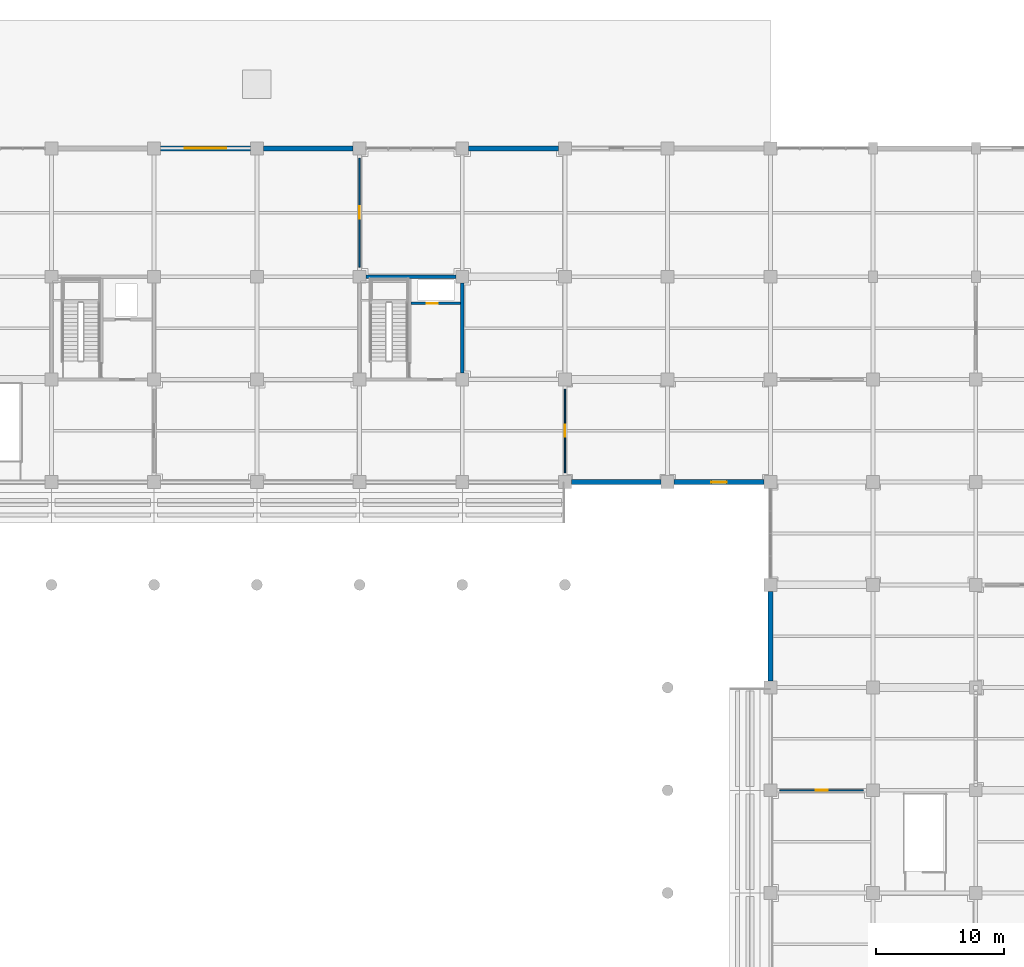
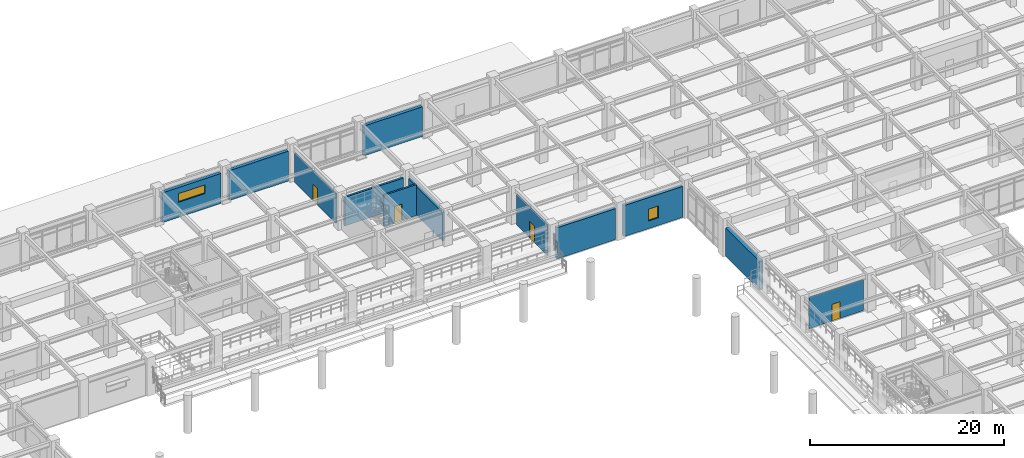
# One storey, part 83 of 117: 12 walls, 4 doors, 2 windows, 6 openings.
"""IFC4 building model written with IfcOpenShell, lengths in metres."""

from ifc_helpers import new_model, si_unit, direction, frame, frame_2d, origin, place, context, subcontext, project, spatial, rectangle, extrude, material, layer, layer_set, type_object, element, fill, save


model = new_model("IFC4")

# Units and contexts
model_context = context("Model", 3, precision=1e-05, world=origin(), true_north=direction((0.0, 1.0)))
body_context = subcontext(model_context, "Body", "Model", "MODEL_VIEW")
ifc_project = project(units=[si_unit("LENGTHUNIT", "METRE"), si_unit("AREAUNIT", "SQUARE_METRE"), si_unit("VOLUMEUNIT", "CUBIC_METRE"), si_unit("PLANEANGLEUNIT", "RADIAN"), si_unit("MASSUNIT", "GRAM", prefix="KILO")], contexts=[model_context])

# Site, building, storey
site_placement = place(None, origin())
site = spatial("IfcSite", under=ifc_project, at=site_placement, CompositionType="ELEMENT")
building_placement = place(site_placement, origin())
building = spatial("IfcBuilding", under=site, at=building_placement, Name="Haebicheon Civic Stadium", CompositionType="ELEMENT")
storey_placement = place(building_placement, frame((0.0, 0.0, 4.800048828125)))
storey = spatial("IfcBuildingStorey", under=building, at=storey_placement, Name="L02", CompositionType="ELEMENT", Elevation=4.800048828125)

# Walls
ifc_material_1 = material(Name="Concrete C40/50", Category="concrete")
ifc_layer_1 = layer(ifc_material_1, 0.239990234375, Name="Concrete C40/50")
ifc_layer_set_1 = layer_set([ifc_layer_1], Name="Concrete C40/50")
wall_type_1 = type_object("IfcWallType", Name="CW-SHR-240", PredefinedType="SHEAR", material=ifc_layer_set_1)
for number, where, z_axis, x_axis, name in (
    (1, (112.5, 168.0, 0.0), (0.0, 0.0, 1.0), (1.0, 0.0, 0.0), "KC-09 L02 north core shear wall"),
    (2, (120.0, 160.5, 0.0), (0.0, 0.0, 1.0), (0.0, 1.0, 0.0), "KC-09 L02 east core shear wall"),
):
    element("IfcWall", number, at=place(storey_placement, frame(where, z_axis=z_axis, x_axis=x_axis)), inside=storey, type_object=wall_type_1, material=ifc_layer_set_1, Name=name, PredefinedType="SHEAR", context=body_context, shape_type="SweptSolid", body=[
        extrude(rectangle(XDim=7.0, YDim=0.239990234375, at=frame_2d((3.5, 0.0))), origin(), (0.0, 0.0, 1.0), 3.60986328125),
    ])

# Wall, opening, window
ifc_material_2 = material(Name="Concrete C40/50", Category="concrete")
ifc_layer_2 = layer(ifc_material_2, 0.3798828125, Name="Concrete C40/50")
ifc_layer_set_2 = layer_set([ifc_layer_2], Name="Concrete C40/50")
wall_type_2 = type_object("IfcWallType", Name="EW-BM-380", PredefinedType="SOLIDWALL", material=ifc_layer_set_2)
wall_1_placement = place(storey_placement, frame((96.5, 178.0, 0.0), z_axis=(0.0, 0.0, 1.0), x_axis=(1.0, 0.0, 0.0)))
wall_1 = element("IfcWall", 3, at=wall_1_placement, inside=storey, type_object=wall_type_2, material=ifc_layer_set_2, Name="L02 board-marked concrete facade wall 12-22-N", PredefinedType="SOLIDWALL", context=body_context, shape_type="SweptSolid", body=[
    extrude(rectangle(XDim=7.0, YDim=0.3798828125, at=frame_2d((3.5, 0.0))), origin(), (0.0, 0.0, 1.0), 3.77001953125),
])
opening_1_placement = place(wall_1_placement, frame((1.89990234375, 0.0, 1.89990234375)))
opening_1 = element("IfcOpeningElement", 4, at=opening_1_placement, cuts=wall_1, Name="Opening WIN-320x110", PredefinedType="OPENING", context=body_context, shape_type="SweptSolid", body=[
    extrude(rectangle(XDim=3.199951171875, YDim=1.10009765625, at=frame_2d((1.60009765625, 0.550048828125))), frame((0.0, 0.199951171875, 0.0), z_axis=(0.0, -1.0, 0.0), x_axis=(1.0, 0.0, 0.0)), (0.0, 0.0, 1.0), 0.39990234375),
])
ifc_material_3 = material(Name="Anodised aluminium and laminated glass", Category="aluminium")
window_type_1 = type_object("IfcWindowType", Name="WIN-320x110", PartitioningType="SINGLE_PANEL", PredefinedType="LIGHTDOME", material=ifc_material_3)
window_1_placement = place(opening_1_placement, origin())
window_1 = element("IfcWindow", 5, at=window_1_placement, inside=storey, type_object=window_type_1, material=ifc_material_3, Name="L02 facade window 044", OverallHeight=1.10009765625, OverallWidth=3.199951171875, PartitioningType="SINGLE_PANEL", PredefinedType="LIGHTDOME", context=body_context, shape_type="SweptSolid", body=[
    extrude(rectangle(XDim=3.199951171875, YDim=1.10009765625, at=frame_2d((1.60009765625, 0.550048828125))), frame((0.0, 0.030029296875, 0.0), z_axis=(0.0, -1.0, 0.0), x_axis=(1.0, 0.0, 0.0)), (0.0, 0.0, 1.0), 0.06005859375),
])
fill(opening_1, window_1)

# Walls
for number, where, z_axis, x_axis, name in (
    (6, (104.5, 178.0, 0.0), (0.0, 0.0, 1.0), (1.0, 0.0, 0.0), "L02 board-marked concrete facade wall 13-22-N"),
    (7, (120.5, 178.0, 0.0), (0.0, 0.0, 1.0), (1.0, 0.0, 0.0), "L02 board-marked concrete facade wall 15-22-N"),
):
    element("IfcWall", number, at=place(storey_placement, frame(where, z_axis=z_axis, x_axis=x_axis)), inside=storey, type_object=wall_type_2, material=ifc_layer_set_2, Name=name, PredefinedType="SOLIDWALL", context=body_context, shape_type="SweptSolid", body=[
        extrude(rectangle(XDim=7.0, YDim=0.3798828125, at=frame_2d((3.5, 0.0))), origin(), (0.0, 0.0, 1.0), 3.77001953125),
    ])
wall_2_placement = place(storey_placement, frame((128.5, 152.0, 0.0), z_axis=(0.0, 0.0, 1.0), x_axis=(1.0, 0.0, 0.0)))
element("IfcWall", 8, at=wall_2_placement, inside=storey, type_object=wall_type_2, material=ifc_layer_set_2, Name="L02 board-marked concrete facade wall 16-19-S", PredefinedType="SOLIDWALL", context=body_context, shape_type="SweptSolid", body=[
    extrude(rectangle(XDim=7.0, YDim=0.3798828125, at=frame_2d((3.5, 0.0))), origin(), (0.0, 0.0, 1.0), 3.909912109375),
])

# Wall, opening, window
wall_3_placement = place(storey_placement, frame((136.5, 152.0, 0.0), z_axis=(0.0, 0.0, 1.0), x_axis=(1.0, 0.0, 0.0)))
wall_3 = element("IfcWall", 9, at=wall_3_placement, inside=storey, type_object=wall_type_2, material=ifc_layer_set_2, Name="L02 board-marked concrete facade wall 17-19-S", PredefinedType="SOLIDWALL", context=body_context, shape_type="SweptSolid", body=[
    extrude(rectangle(XDim=7.0, YDim=0.3798828125, at=frame_2d((3.5, 0.0))), origin(), (0.0, 0.0, 1.0), 3.909912109375),
])
opening_2_placement = place(wall_3_placement, frame((2.89990234375, 0.0, 0.949951171875)))
opening_2 = element("IfcOpeningElement", 10, at=opening_2_placement, cuts=wall_3, Name="Opening WIN-120x150", PredefinedType="OPENING", context=body_context, shape_type="SweptSolid", body=[
    extrude(rectangle(XDim=1.199951171875, YDim=1.5, at=frame_2d((0.60009765625, 0.75))), frame((0.0, 0.199951171875, 0.0), z_axis=(0.0, -1.0, 0.0), x_axis=(1.0, 0.0, 0.0)), (0.0, 0.0, 1.0), 0.39990234375),
])
ifc_material_4 = material(Name="Anodised aluminium and laminated glass", Category="aluminium")
window_type_2 = type_object("IfcWindowType", Name="WIN-120x150", PartitioningType="SINGLE_PANEL", PredefinedType="WINDOW", material=ifc_material_4)
window_2_placement = place(opening_2_placement, origin())
window_2 = element("IfcWindow", 11, at=window_2_placement, inside=storey, type_object=window_type_2, material=ifc_material_4, Name="L02 facade window 047", OverallHeight=1.5, OverallWidth=1.199951171875, PartitioningType="SINGLE_PANEL", PredefinedType="WINDOW", context=body_context, shape_type="SweptSolid", body=[
    extrude(rectangle(XDim=1.199951171875, YDim=1.5, at=frame_2d((0.60009765625, 0.75))), frame((0.0, 0.030029296875, 0.0), z_axis=(0.0, -1.0, 0.0), x_axis=(1.0, 0.0, 0.0)), (0.0, 0.0, 1.0), 0.06005859375),
])
fill(opening_2, window_2)

# Wall
wall_4_placement = place(storey_placement, frame((144.0, 136.5, 0.0), z_axis=(0.0, 0.0, 1.0), x_axis=(0.0, 1.0, 0.0)))
element("IfcWall", 12, at=wall_4_placement, inside=storey, type_object=wall_type_2, material=ifc_layer_set_2, Name="L02 board-marked concrete facade wall 18-17-W", PredefinedType="SOLIDWALL", context=body_context, shape_type="SweptSolid", body=[
    extrude(rectangle(XDim=7.0, YDim=0.3798828125, at=frame_2d((3.5, 0.0))), origin(), (0.0, 0.0, 1.0), 3.60986328125),
])

# Wall, opening, door
ifc_material_5 = material(Name="Concrete C35/45", Category="concrete")
ifc_layer_3 = layer(ifc_material_5, 0.199951171875, Name="Concrete C35/45")
ifc_layer_set_3 = layer_set([ifc_layer_3], Name="Concrete C35/45")
wall_type_3 = type_object("IfcWallType", Name="IW-FIR-200", PredefinedType="PARTITIONING", material=ifc_layer_set_3)
wall_5_placement = place(storey_placement, frame((116.0, 165.919921875, 0.0), z_axis=(0.0, 0.0, 1.0), x_axis=(1.0, 0.0, 0.0)))
wall_5 = element("IfcWall", 13, at=wall_5_placement, inside=storey, type_object=wall_type_3, material=ifc_layer_set_3, Name="KC-09 L02 service riser wall", PredefinedType="PARTITIONING", context=body_context, shape_type="SweptSolid", body=[
    extrude(rectangle(XDim=3.8798828125, YDim=0.199951171875, at=frame_2d((1.93994140625, 0.0))), origin(), (0.0, 0.0, 1.0), 3.909912109375),
])
opening_3_placement = place(wall_5_placement, frame((1.25, 0.0, 0.0)))
opening_3 = element("IfcOpeningElement", 14, at=opening_3_placement, cuts=wall_5, Name="Opening D-L02-KC-09-RSR", PredefinedType="OPENING", context=body_context, shape_type="SweptSolid", body=[
    extrude(rectangle(XDim=0.85009765625, YDim=2.050048828125, at=frame_2d((0.425048828125, 1.02490234375))), frame((0.0, 0.10986328125, 0.0), z_axis=(0.0, -1.0, 0.0), x_axis=(1.0, 0.0, 0.0)), (0.0, 0.0, 1.0), 0.219970703125),
])
ifc_material_6 = material(Name="Galvanised painted steel SM355", Category="steel")
door_type_1 = type_object("IfcDoorType", Name="ID-RSR-0850", OperationType="NOTDEFINED", PredefinedType="TRAPDOOR", material=ifc_material_6)
door_1_placement = place(opening_3_placement, origin())
door_1 = element("IfcDoor", 15, at=door_1_placement, inside=storey, type_object=door_type_1, material=ifc_material_6, Name="L02 KC-09 riser access door", OperationType="SINGLE_SWING_RIGHT", OverallHeight=2.050048828125, OverallWidth=0.85009765625, PredefinedType="TRAPDOOR", context=body_context, shape_type="SweptSolid", body=[
    extrude(rectangle(XDim=0.85009765625, YDim=2.050048828125, at=frame_2d((0.425048828125, 1.02490234375))), frame((0.0, 0.02490234375, 0.0), z_axis=(0.0, -1.0, 0.0), x_axis=(1.0, 0.0, 0.0)), (0.0, 0.0, 1.0), 0.050048828125),
])
fill(opening_3, door_1)

ifc_material_7 = material(Name="Anodised aluminium and laminated glass", Category="aluminium")
ifc_layer_4 = layer(ifc_material_7, 0.10009765625, Name="Anodised aluminium and laminated glass")
ifc_layer_set_4 = layer_set([ifc_layer_4], Name="Anodised aluminium and laminated glass")
wall_type_4 = type_object("IfcWallType", Name="IW-PRT-100", PredefinedType="PARTITIONING", material=ifc_layer_set_4)
wall_6_placement = place(storey_placement, frame((128.0, 152.75, 0.0), z_axis=(0.0, 0.0, 1.0), x_axis=(0.0, 1.0, 0.0)))
wall_6 = element("IfcWall", 16, at=wall_6_placement, inside=storey, type_object=wall_type_4, material=ifc_layer_set_4, Name="L02 Food and Beverage Kiosk partition wall", PredefinedType="PARTITIONING", context=body_context, shape_type="SweptSolid", body=[
    extrude(rectangle(XDim=6.5, YDim=0.10009765625, at=frame_2d((3.25, 0.0))), origin(), (0.0, 0.0, 1.0), 3.909912109375),
])
opening_4_placement = place(wall_6_placement, frame((2.77490234375, 0.0, 0.0)))
opening_4 = element("IfcOpeningElement", 17, at=opening_4_placement, cuts=wall_6, Name="Opening D-L02-215", PredefinedType="OPENING", context=body_context, shape_type="SweptSolid", body=[
    extrude(rectangle(XDim=0.949951171875, YDim=2.10009765625, at=frame_2d((0.47509765625, 1.050048828125))), frame((0.0, 0.06005859375, 0.0), z_axis=(0.0, -1.0, 0.0), x_axis=(1.0, 0.0, 0.0)), (0.0, 0.0, 1.0), 0.1201171875),
])
ifc_material_8 = material(Name="Engineered hardwood timber", Category="wood")
door_type_2 = type_object("IfcDoorType", Name="ID-RM-0950", OperationType="NOTDEFINED", PredefinedType="DOOR", material=ifc_material_8)
door_2_placement = place(opening_4_placement, origin())
door_2 = element("IfcDoor", 18, at=door_2_placement, inside=storey, type_object=door_type_2, material=ifc_material_8, Name="L02 Food and Beverage Kiosk entrance door D-L02-215", OperationType="SINGLE_SWING_LEFT", OverallHeight=2.10009765625, OverallWidth=0.949951171875, PredefinedType="DOOR", context=body_context, shape_type="SweptSolid", body=[
    extrude(rectangle(XDim=0.949951171875, YDim=2.10009765625, at=frame_2d((0.47509765625, 1.050048828125))), frame((0.0, 0.02490234375, 0.0), z_axis=(0.0, -1.0, 0.0), x_axis=(1.0, 0.0, 0.0)), (0.0, 0.0, 1.0), 0.050048828125),
])
fill(opening_4, door_2)

wall_7_placement = place(storey_placement, frame((144.75, 128.0, 0.0), z_axis=(0.0, 0.0, 1.0), x_axis=(1.0, 0.0, 0.0)))
wall_7 = element("IfcWall", 19, at=wall_7_placement, inside=storey, type_object=wall_type_4, material=ifc_layer_set_4, Name="L02 Food and Beverage Kiosk partition wall", PredefinedType="PARTITIONING", context=body_context, shape_type="SweptSolid", body=[
    extrude(rectangle(XDim=6.5, YDim=0.10009765625, at=frame_2d((3.25, 0.0))), origin(), (0.0, 0.0, 1.0), 3.909912109375),
])
opening_5_placement = place(wall_7_placement, frame((2.77490234375, 0.0, 0.0)))
opening_5 = element("IfcOpeningElement", 20, at=opening_5_placement, cuts=wall_7, Name="Opening D-L02-219", PredefinedType="OPENING", context=body_context, shape_type="SweptSolid", body=[
    extrude(rectangle(XDim=0.949951171875, YDim=2.10009765625, at=frame_2d((0.47509765625, 1.050048828125))), frame((0.0, 0.06005859375, 0.0), z_axis=(0.0, -1.0, 0.0), x_axis=(1.0, 0.0, 0.0)), (0.0, 0.0, 1.0), 0.1201171875),
])
door_3_placement = place(opening_5_placement, origin())
door_3 = element("IfcDoor", 21, at=door_3_placement, inside=storey, type_object=door_type_2, material=ifc_material_8, Name="L02 Food and Beverage Kiosk entrance door D-L02-219", OperationType="SINGLE_SWING_LEFT", OverallHeight=2.10009765625, OverallWidth=0.949951171875, PredefinedType="DOOR", context=body_context, shape_type="SweptSolid", body=[
    extrude(rectangle(XDim=0.949951171875, YDim=2.10009765625, at=frame_2d((0.47509765625, 1.050048828125))), frame((0.0, 0.02490234375, 0.0), z_axis=(0.0, -1.0, 0.0), x_axis=(1.0, 0.0, 0.0)), (0.0, 0.0, 1.0), 0.050048828125),
])
fill(opening_5, door_3)

ifc_material_9 = material(Name="Gypsum plasterboard on steel studs", Category="gypsum")
ifc_layer_5 = layer(ifc_material_9, 0.1201171875, Name="Gypsum plasterboard on steel studs")
ifc_layer_set_5 = layer_set([ifc_layer_5], Name="Gypsum plasterboard on steel studs")
wall_type_5 = type_object("IfcWallType", Name="IW-PRT-120", PredefinedType="PARTITIONING", material=ifc_layer_set_5)
wall_8_placement = place(storey_placement, frame((112.0, 168.75, 0.0), z_axis=(0.0, 0.0, 1.0), x_axis=(0.0, 1.0, 0.0)))
wall_8 = element("IfcWall", 22, at=wall_8_placement, inside=storey, type_object=wall_type_5, material=ifc_layer_set_5, Name="L02 Merchandise Kiosk partition wall", PredefinedType="PARTITIONING", context=body_context, shape_type="SweptSolid", body=[
    extrude(rectangle(XDim=8.5, YDim=0.1201171875, at=frame_2d((4.25, 0.0))), origin(), (0.0, 0.0, 1.0), 3.77001953125),
])
opening_6_placement = place(wall_8_placement, frame((3.75, 0.0, 0.0)))
opening_6 = element("IfcOpeningElement", 23, at=opening_6_placement, cuts=wall_8, Name="Opening D-L02-214", PredefinedType="OPENING", context=body_context, shape_type="SweptSolid", body=[
    extrude(rectangle(XDim=1.0, YDim=2.10009765625, at=frame_2d((0.5, 1.050048828125))), frame((0.0, 0.070068359375, 0.0), z_axis=(0.0, -1.0, 0.0), x_axis=(1.0, 0.0, 0.0)), (0.0, 0.0, 1.0), 0.14013671875),
])
ifc_material_10 = material(Name="Engineered hardwood timber", Category="wood")
door_type_3 = type_object("IfcDoorType", Name="ID-RM-1000", OperationType="NOTDEFINED", PredefinedType="DOOR", material=ifc_material_10)
door_4_placement = place(opening_6_placement, origin())
door_4 = element("IfcDoor", 24, at=door_4_placement, inside=storey, type_object=door_type_3, material=ifc_material_10, Name="L02 Merchandise Kiosk entrance door D-L02-214", OperationType="SINGLE_SWING_RIGHT", OverallHeight=2.10009765625, OverallWidth=1.0, PredefinedType="DOOR", context=body_context, shape_type="SweptSolid", body=[
    extrude(rectangle(XDim=1.0, YDim=2.10009765625, at=frame_2d((0.5, 1.050048828125))), frame((0.0, 0.02490234375, 0.0), z_axis=(0.0, -1.0, 0.0), x_axis=(1.0, 0.0, 0.0)), (0.0, 0.0, 1.0), 0.050048828125),
])
fill(opening_6, door_4)

save(model, "model.ifc")
